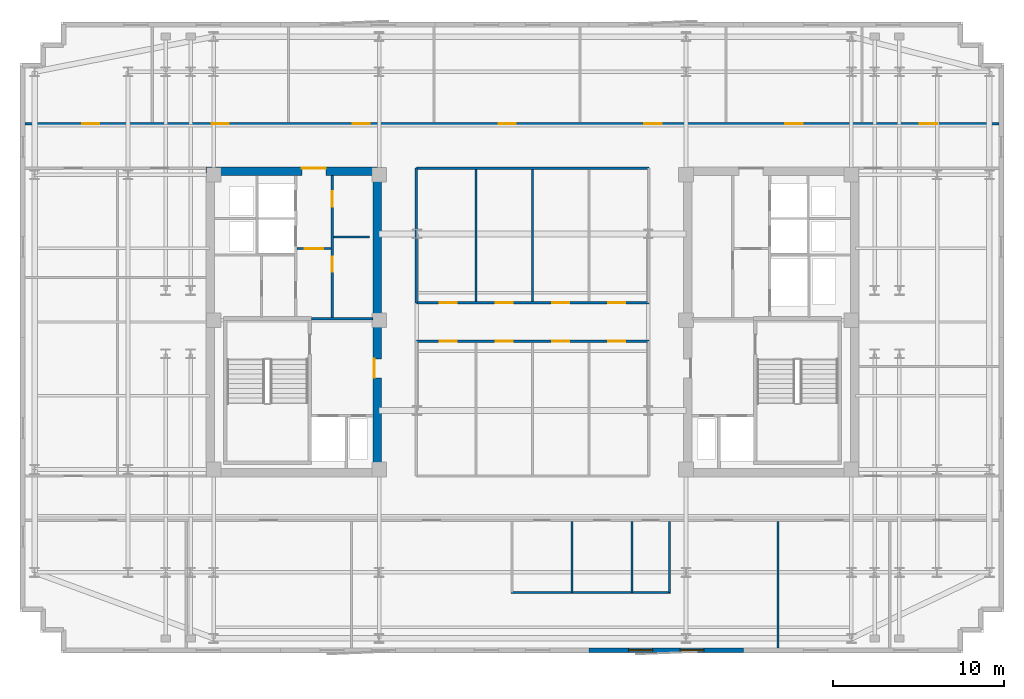
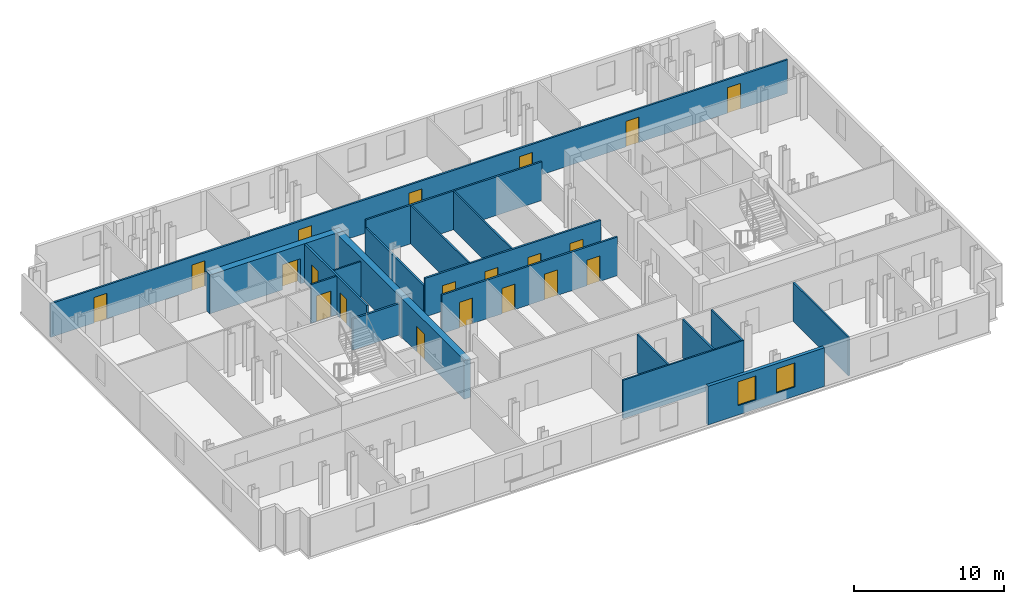
# One storey, part 5 of 10: 20 doors, 19 walls, 2 windows, 22 openings.
"""IFC4 building model written with IfcOpenShell, lengths in metres."""

from ifc_helpers import new_model, si_unit, direction, frame, frame_2d, origin, place, context, subcontext, project, spatial, rectangle, extrude, material, layer, layer_set, type_object, element, fill, save


model = new_model("IFC4")

# Units and contexts
model_context = context("Model", 3, precision=1e-05, world=origin(), true_north=direction((0.0, 1.0)))
body_context = subcontext(model_context, "Body", "Model", "MODEL_VIEW")
ifc_project = project(units=[si_unit("LENGTHUNIT", "METRE"), si_unit("AREAUNIT", "SQUARE_METRE"), si_unit("VOLUMEUNIT", "CUBIC_METRE"), si_unit("PLANEANGLEUNIT", "RADIAN"), si_unit("MASSUNIT", "GRAM", prefix="KILO")], contexts=[model_context])

# Site, building, storey
site_placement = place(None, origin())
site = spatial("IfcSite", under=ifc_project, at=site_placement, CompositionType="ELEMENT")
building_placement = place(site_placement, origin())
building = spatial("IfcBuilding", under=site, at=building_placement, Name="Velakula Bourse", CompositionType="ELEMENT")
storey_placement = place(building_placement, frame((0.0, 0.0, 239.550048828125)))
storey = spatial("IfcBuildingStorey", under=building, at=storey_placement, Name="L65", CompositionType="ELEMENT", Elevation=239.550048828125)

# Wall, opening, door
ifc_material_1 = material(Name="Concrete M50 (fck 50 MPa)", Category="concrete")
ifc_layer_1 = layer(ifc_material_1, 0.5, Name="Concrete M50 (fck 50 MPa)", Category="concrete")
ifc_layer_set_1 = layer_set([ifc_layer_1], Name="Concrete M50 (fck 50 MPa)")
wall_type_1 = type_object("IfcWallType", Name="WL-CORE-500", PredefinedType="SHEAR", material=ifc_layer_set_1)
wall_1_placement = place(storey_placement, frame((-19.050048828125, 8.800048828125, 0.0), z_axis=(0.0, 0.0, 1.0), x_axis=(1.0, 0.0, 0.0)))
wall_1 = element("IfcWall", 1, at=wall_1_placement, inside=storey, type_object=wall_type_1, Name="L65 Core W Shear Wall N", PredefinedType="SHEAR", context=body_context, shape_type="SweptSolid", body=[
    extrude(rectangle(XDim=10.25, YDim=0.5, at=frame_2d((5.125, 0.0))), origin(), (0.0, 0.0, 1.0), 3.169921875),
])
opening_1_placement = place(wall_1_placement, frame((5.60009765625, 0.0, 0.0)))
opening_1 = element("IfcOpeningElement", 2, at=opening_1_placement, cuts=wall_1, Name="Opening D-LLW", PredefinedType="OPENING", context=body_context, shape_type="SweptSolid", body=[
    extrude(rectangle(XDim=1.39990234375, YDim=2.050048828125, at=frame_2d((0.699951171875, 1.02490234375))), frame((0.0, 0.260009765625, 0.0), z_axis=(0.0, -1.0, 0.0), x_axis=(1.0, 0.0, 0.0)), (0.0, 0.0, 1.0), 0.52001953125),
])
ifc_material_2 = material(Name="Fire-rated hardwood flush architectural door", Category="wood")
door_type_1 = type_object("IfcDoorType", Name="DR-DBL-FD60-1400", OperationType="DOUBLE_DOOR_SINGLE_SWING", PredefinedType="DOOR", material=ifc_material_2)
door_1_placement = place(opening_1_placement, origin())
door_1 = element("IfcDoor", 3, at=door_1_placement, inside=storey, type_object=door_type_1, Name="L65 Core W Lift Lobby Corridor Double Door", OperationType="DOUBLE_DOOR_SINGLE_SWING", OverallHeight=2.050048828125, OverallWidth=1.39990234375, PredefinedType="DOOR", context=body_context, shape_type="SweptSolid", body=[
    extrude(rectangle(XDim=1.39990234375, YDim=2.050048828125, at=frame_2d((0.699951171875, 1.02490234375))), frame((0.0, 0.19482421875, 0.0), z_axis=(0.0, -1.0, 0.0), x_axis=(1.0, 0.0, 0.0)), (0.0, 0.0, 1.0), 0.050048828125),
])
fill(opening_1, door_1)

wall_2_placement = place(storey_placement, frame((-9.050048828125, -8.550048828125, 0.0), z_axis=(0.0, 0.0, 1.0), x_axis=(0.0, 1.0, 0.0)))
wall_2 = element("IfcWall", 4, at=wall_2_placement, inside=storey, type_object=wall_type_1, Name="L65 Core W Shear Wall E", PredefinedType="SHEAR", context=body_context, shape_type="SweptSolid", body=[
    extrude(rectangle(XDim=17.10009765625, YDim=0.5, at=frame_2d((8.550048828125, 0.0))), origin(), (0.0, 0.0, 1.0), 3.169921875),
])
opening_2_placement = place(wall_2_placement, frame((5.300048828125, 0.0, 0.0)))
opening_2 = element("IfcOpeningElement", 5, at=opening_2_placement, cuts=wall_2, Name="Opening D-FLW", PredefinedType="OPENING", context=body_context, shape_type="SweptSolid", body=[
    extrude(rectangle(XDim=1.10009765625, YDim=2.080078125, at=frame_2d((0.550048828125, 1.0400390625))), frame((0.0, 0.260009765625, 0.0), z_axis=(0.0, -1.0, 0.0), x_axis=(1.0, 0.0, 0.0)), (0.0, 0.0, 1.0), 0.52001953125),
])
ifc_material_3 = material(Name="Galvanised painted hollow steel fire door", Category="steel")
door_type_2 = type_object("IfcDoorType", Name="DR-FD120-1100", OperationType="NOTDEFINED", PredefinedType="DOOR", material=ifc_material_3)
door_2_placement = place(opening_2_placement, origin())
door_2 = element("IfcDoor", 6, at=door_2_placement, inside=storey, type_object=door_type_2, Name="L65 Firefighting Lobby W Corridor Fire Door", OperationType="SINGLE_SWING_LEFT", OverallHeight=2.080078125, OverallWidth=1.10009765625, PredefinedType="DOOR", context=body_context, shape_type="SweptSolid", body=[
    extrude(rectangle(XDim=1.10009765625, YDim=2.080078125, at=frame_2d((0.550048828125, 1.0400390625))), frame((0.0, 0.205078125, 0.0), z_axis=(0.0, -1.0, 0.0), x_axis=(1.0, 0.0, 0.0)), (0.0, 0.0, 1.0), 0.050048828125),
])
fill(opening_2, door_2)

# Wall, openings, windows
ifc_material_4 = material(Name="Buff kilned clay facing brick masonry", Category="masonry")
ifc_layer_2 = layer(ifc_material_4, 0.260009765625, Name="Buff kilned clay facing brick masonry", Category="masonry")
ifc_layer_set_2 = layer_set([ifc_layer_2], Name="Buff kilned clay facing brick masonry")
wall_type_2 = type_object("IfcWallType", Name="WL-EXT-BRK-260", PredefinedType="STANDARD", material=ifc_layer_set_2)
wall_3_placement = place(storey_placement, frame((12.300048828125, -19.14990234375, 0.0), z_axis=(0.0, 0.0, 1.0), x_axis=(-1.0, 0.0, 0.0)))
wall_3 = element("IfcWall", 7, at=wall_3_placement, inside=storey, type_object=wall_type_2, Name="L65 S Brick Spandrel Wall B4", PredefinedType="STANDARD", context=body_context, shape_type="SweptSolid", body=[
    extrude(rectangle(XDim=9.0, YDim=0.260009765625, at=frame_2d((4.5, 0.0))), origin(), (0.0, 0.0, 1.0), 3.14990234375),
])
opening_3_placement = place(wall_3_placement, frame((2.300048828125, 0.0, 0.760009765625)))
opening_3 = element("IfcOpeningElement", 8, at=opening_3_placement, cuts=wall_3, Name="Opening W-03", PredefinedType="OPENING", context=body_context, shape_type="SweptSolid", body=[
    extrude(rectangle(XDim=1.39990234375, YDim=1.949951171875, at=frame_2d((0.699951171875, 0.97509765625))), frame((0.0, 0.139892578125, 0.0), z_axis=(0.0, -1.0, 0.0), x_axis=(1.0, 0.0, 0.0)), (0.0, 0.0, 1.0), 0.280029296875),
])
opening_4_placement = place(wall_3_placement, frame((5.300048828125, 0.0, 0.760009765625)))
opening_4 = element("IfcOpeningElement", 9, at=opening_4_placement, cuts=wall_3, Name="Opening W-03", PredefinedType="OPENING", context=body_context, shape_type="SweptSolid", body=[
    extrude(rectangle(XDim=1.39990234375, YDim=1.949951171875, at=frame_2d((0.699951171875, 0.97509765625))), frame((0.0, 0.139892578125, 0.0), z_axis=(0.0, -1.0, 0.0), x_axis=(1.0, 0.0, 0.0)), (0.0, 0.0, 1.0), 0.280029296875),
])
ifc_material_5 = material(Name="Double-glazed solar-control Low-E glass", Category="glass")
window_type = type_object("IfcWindowType", Name="WIN-TWR-1400x2100", PartitioningType="SINGLE_PANEL", PredefinedType="WINDOW", material=ifc_material_5)
window_1_placement = place(opening_3_placement, origin())
window_1 = element("IfcWindow", 10, at=window_1_placement, inside=storey, type_object=window_type, Name="L65 Deep-Set Recessed Window 1", OverallHeight=1.949951171875, OverallWidth=1.39990234375, PartitioningType="SINGLE_PANEL", PredefinedType="WINDOW", context=body_context, shape_type="SweptSolid", body=[
    extrude(rectangle(XDim=1.39990234375, YDim=1.949951171875, at=frame_2d((0.699951171875, 0.97509765625))), frame((0.0, 0.030029296875, 0.0), z_axis=(0.0, -1.0, 0.0), x_axis=(1.0, 0.0, 0.0)), (0.0, 0.0, 1.0), 0.06005859375),
])
fill(opening_3, window_1)
window_2_placement = place(opening_4_placement, origin())
window_2 = element("IfcWindow", 11, at=window_2_placement, inside=storey, type_object=window_type, Name="L65 Deep-Set Recessed Window 2", OverallHeight=1.949951171875, OverallWidth=1.39990234375, PartitioningType="SINGLE_PANEL", PredefinedType="WINDOW", context=body_context, shape_type="SweptSolid", body=[
    extrude(rectangle(XDim=1.39990234375, YDim=1.949951171875, at=frame_2d((0.699951171875, 0.97509765625))), frame((0.0, 0.030029296875, 0.0), z_axis=(0.0, -1.0, 0.0), x_axis=(1.0, 0.0, 0.0)), (0.0, 0.0, 1.0), 0.06005859375),
])
fill(opening_4, window_2)

# Wall, opening, door
ifc_material_6 = material(Name="Fire-rated double-layer gypsum drywall partition", Category="gypsum")
ifc_layer_3 = layer(ifc_material_6, 0.1201171875, Name="Fire-rated double-layer gypsum drywall partition", Category="gypsum")
ifc_layer_set_3 = layer_set([ifc_layer_3], Name="Fire-rated double-layer gypsum drywall partition")
wall_type_3 = type_object("IfcWallType", Name="WL-PART-120", PredefinedType="STANDARD", material=ifc_layer_set_3)
wall_4_placement = place(storey_placement, frame((-13.75, 4.280029296875, 0.0), z_axis=(0.0, 0.0, 1.0), x_axis=(1.0, 0.0, 0.0)))
wall_4 = element("IfcWall", 12, at=wall_4_placement, inside=storey, type_object=wall_type_3, Name="L65 Interior Partition WL-CRW-L65-LL-K2", PredefinedType="STANDARD", context=body_context, shape_type="SweptSolid", body=[
    extrude(rectangle(XDim=2.0, YDim=0.1201171875, at=frame_2d((1.0, 0.0))), origin(), (0.0, 0.0, 1.0), 3.14990234375),
])
opening_5_placement = place(wall_4_placement, frame((0.449951171875, 0.0, 0.0)))
opening_5 = element("IfcOpeningElement", 13, at=opening_5_placement, cuts=wall_4, Name="Opening D-LK2", PredefinedType="OPENING", context=body_context, shape_type="SweptSolid", body=[
    extrude(rectangle(XDim=1.10009765625, YDim=2.10009765625, at=frame_2d((0.550048828125, 1.050048828125))), frame((0.0, 0.070068359375, 0.0), z_axis=(0.0, -1.0, 0.0), x_axis=(1.0, 0.0, 0.0)), (0.0, 0.0, 1.0), 0.14013671875),
])
door_type_3 = type_object("IfcDoorType", Name="DR-FD60-1100x2100", OperationType="NOTDEFINED", PredefinedType="DOOR", material=ifc_material_2)
door_3_placement = place(opening_5_placement, origin())
door_3 = element("IfcDoor", 14, at=door_3_placement, inside=storey, type_object=door_type_3, Name="L65 Core W Lift Lobby Zone Door", OperationType="SINGLE_SWING_RIGHT", OverallHeight=2.10009765625, OverallWidth=1.10009765625, PredefinedType="DOOR", context=body_context, shape_type="SweptSolid", body=[
    extrude(rectangle(XDim=1.10009765625, YDim=2.10009765625, at=frame_2d((0.550048828125, 1.050048828125))), frame((0.0, 0.02490234375, 0.0), z_axis=(0.0, -1.0, 0.0), x_axis=(1.0, 0.0, 0.0)), (0.0, 0.0, 1.0), 0.050048828125),
])
fill(opening_5, door_3)

# Walls
wall_5_placement = place(storey_placement, frame((-11.60009765625, 4.949951171875, 0.0), z_axis=(0.0, 0.0, 1.0), x_axis=(1.0, 0.0, 0.0)))
element("IfcWall", 15, at=wall_5_placement, inside=storey, type_object=wall_type_3, Name="L65 Interior Partition WL-CRW-L65-RCDIV", PredefinedType="STANDARD", context=body_context, shape_type="SweptSolid", body=[
    extrude(rectangle(XDim=2.10009765625, YDim=0.1201171875, at=frame_2d((1.050048828125, 0.0))), origin(), (0.0, 0.0, 1.0), 3.14990234375),
])
wall_6_placement = place(storey_placement, frame((-1.260009765625, -15.77001953125, 0.0), z_axis=(0.0, 0.0, 1.0), x_axis=(1.0, 0.0, 0.0)))
element("IfcWall", 16, at=wall_6_placement, inside=storey, type_object=wall_type_3, Name="L65 Interior Partition WL-WC-L65-BACK", PredefinedType="STANDARD", context=body_context, shape_type="SweptSolid", body=[
    extrude(rectangle(XDim=9.320068359375, YDim=0.1201171875, at=frame_2d((4.66015625, 0.0))), origin(), (0.0, 0.0, 1.0), 3.14990234375),
])
for number, where, z_axis, x_axis, name in (
    (17, (2.300048828125, -15.77001953125, 0.0), (0.0, 0.0, 1.0), (0.0, 1.0, 0.0), "L65 Interior Partition WL-WC-L65-V2"),
    (18, (5.800048828125, -15.77001953125, 0.0), (0.0, 0.0, 1.0), (0.0, 1.0, 0.0), "L65 Interior Partition WL-WC-L65-V3"),
    (19, (8.0, -15.77001953125, 0.0), (0.0, 0.0, 1.0), (0.0, 1.0, 0.0), "L65 Interior Partition WL-WC-L65-V4"),
):
    element("IfcWall", number, at=place(storey_placement, frame(where, z_axis=z_axis, x_axis=x_axis)), inside=storey, type_object=wall_type_3, Name=name, PredefinedType="STANDARD", context=body_context, shape_type="SweptSolid", body=[
        extrude(rectangle(XDim=4.130126953125, YDim=0.1201171875, at=frame_2d((2.06494140625, 0.0))), origin(), (0.0, 0.0, 1.0), 3.14990234375),
    ])
wall_7_placement = place(storey_placement, frame((14.322998046875, -19.02001953125, 0.0), z_axis=(0.0, 0.0, 1.0), x_axis=(0.0, 1.0, 0.0)))
element("IfcWall", 20, at=wall_7_placement, inside=storey, type_object=wall_type_3, Name="L65 Interior Partition WL-INT-L65-SR-D7", PredefinedType="STANDARD", context=body_context, shape_type="SweptSolid", body=[
    extrude(rectangle(XDim=7.380126953125, YDim=0.1201171875, at=frame_2d((3.68994140625, 0.0))), origin(), (0.0, 0.0, 1.0), 3.14990234375),
])

# Wall, openings, doors
ifc_layer_4 = layer(ifc_material_6, 0.139892578125, Name="Fire-rated double-layer gypsum drywall partition", Category="gypsum")
ifc_layer_set_4 = layer_set([ifc_layer_4], Name="Fire-rated double-layer gypsum drywall partition")
wall_type_4 = type_object("IfcWallType", Name="WL-PART-140", PredefinedType="STANDARD", material=ifc_layer_set_4)
wall_8_placement = place(storey_placement, frame((-29.6201171875, 11.570068359375, 0.0), z_axis=(0.0, 0.0, 1.0), x_axis=(1.0, 0.0, 0.0)))
wall_8 = element("IfcWall", 21, at=wall_8_placement, inside=storey, type_object=wall_type_4, Name="L65 Interior Partition WL-INT-L65-N-CORR", PredefinedType="STANDARD", context=body_context, shape_type="SweptSolid", body=[
    extrude(rectangle(XDim=56.840087890625, YDim=0.139892578125, at=frame_2d((28.419921875, 0.0))), origin(), (0.0, 0.0, 1.0), 2.744873046875),
])
opening_6_placement = place(wall_8_placement, frame((3.343017578125, 0.0, 0.0)))
opening_6 = element("IfcOpeningElement", 22, at=opening_6_placement, cuts=wall_8, Name="Opening D-OF1", PredefinedType="OPENING", context=body_context, shape_type="SweptSolid", body=[
    extrude(rectangle(XDim=1.0, YDim=2.080078125, at=frame_2d((0.5, 1.0400390625))), frame((0.0, 0.079833984375, 0.0), z_axis=(0.0, -1.0, 0.0), x_axis=(1.0, 0.0, 0.0)), (0.0, 0.0, 1.0), 0.159912109375),
])
opening_7_placement = place(wall_8_placement, frame((10.904052734375, 0.0, 0.0)))
opening_7 = element("IfcOpeningElement", 23, at=opening_7_placement, cuts=wall_8, Name="Opening D-OF1", PredefinedType="OPENING", context=body_context, shape_type="SweptSolid", body=[
    extrude(rectangle(XDim=1.0, YDim=2.080078125, at=frame_2d((0.5, 1.0400390625))), frame((0.0, 0.079833984375, 0.0), z_axis=(0.0, -1.0, 0.0), x_axis=(1.0, 0.0, 0.0)), (0.0, 0.0, 1.0), 0.159912109375),
])
opening_8_placement = place(wall_8_placement, frame((19.1279296875, 0.0, 0.0)))
opening_8 = element("IfcOpeningElement", 24, at=opening_8_placement, cuts=wall_8, Name="Opening D-OF1", PredefinedType="OPENING", context=body_context, shape_type="SweptSolid", body=[
    extrude(rectangle(XDim=1.0, YDim=2.080078125, at=frame_2d((0.5, 1.0400390625))), frame((0.0, 0.079833984375, 0.0), z_axis=(0.0, -1.0, 0.0), x_axis=(1.0, 0.0, 0.0)), (0.0, 0.0, 1.0), 0.159912109375),
])
opening_9_placement = place(wall_8_placement, frame((27.635986328125, 0.0, 0.0)))
opening_9 = element("IfcOpeningElement", 25, at=opening_9_placement, cuts=wall_8, Name="Opening D-OF1", PredefinedType="OPENING", context=body_context, shape_type="SweptSolid", body=[
    extrude(rectangle(XDim=1.0, YDim=2.080078125, at=frame_2d((0.5, 1.0400390625))), frame((0.0, 0.079833984375, 0.0), z_axis=(0.0, -1.0, 0.0), x_axis=(1.0, 0.0, 0.0)), (0.0, 0.0, 1.0), 0.159912109375),
])
opening_10_placement = place(wall_8_placement, frame((36.14404296875, 0.0, 0.0)))
opening_10 = element("IfcOpeningElement", 26, at=opening_10_placement, cuts=wall_8, Name="Opening D-OF1", PredefinedType="OPENING", context=body_context, shape_type="SweptSolid", body=[
    extrude(rectangle(XDim=1.0, YDim=2.080078125, at=frame_2d((0.5, 1.0400390625))), frame((0.0, 0.079833984375, 0.0), z_axis=(0.0, -1.0, 0.0), x_axis=(1.0, 0.0, 0.0)), (0.0, 0.0, 1.0), 0.159912109375),
])
opening_11_placement = place(wall_8_placement, frame((44.368408203125, 0.0, 0.0)))
opening_11 = element("IfcOpeningElement", 27, at=opening_11_placement, cuts=wall_8, Name="Opening D-OF1", PredefinedType="OPENING", context=body_context, shape_type="SweptSolid", body=[
    extrude(rectangle(XDim=1.0, YDim=2.080078125, at=frame_2d((0.5, 1.0400390625))), frame((0.0, 0.079833984375, 0.0), z_axis=(0.0, -1.0, 0.0), x_axis=(1.0, 0.0, 0.0)), (0.0, 0.0, 1.0), 0.159912109375),
])
opening_12_placement = place(wall_8_placement, frame((52.21337890625, 0.0, 0.0)))
opening_12 = element("IfcOpeningElement", 28, at=opening_12_placement, cuts=wall_8, Name="Opening D-OF1", PredefinedType="OPENING", context=body_context, shape_type="SweptSolid", body=[
    extrude(rectangle(XDim=1.0, YDim=2.080078125, at=frame_2d((0.5, 1.0400390625))), frame((0.0, 0.079833984375, 0.0), z_axis=(0.0, -1.0, 0.0), x_axis=(1.0, 0.0, 0.0)), (0.0, 0.0, 1.0), 0.159912109375),
])
door_type_4 = type_object("IfcDoorType", Name="DR-OFF-1000", OperationType="NOTDEFINED", PredefinedType="DOOR", material=ifc_material_2)
door_4_placement = place(opening_6_placement, origin())
door_4 = element("IfcDoor", 29, at=door_4_placement, inside=storey, type_object=door_type_4, Name="L65 Market Data Feed Workspace Door", OperationType="SINGLE_SWING_RIGHT", OverallHeight=2.080078125, OverallWidth=1.0, PredefinedType="DOOR", context=body_context, shape_type="SweptSolid", body=[
    extrude(rectangle(XDim=1.0, YDim=2.080078125, at=frame_2d((0.5, 1.0400390625))), frame((0.0, 0.02490234375, 0.0), z_axis=(0.0, -1.0, 0.0), x_axis=(1.0, 0.0, 0.0)), (0.0, 0.0, 1.0), 0.050048828125),
])
fill(opening_6, door_4)
door_5_placement = place(opening_7_placement, origin())
door_5 = element("IfcDoor", 30, at=door_5_placement, inside=storey, type_object=door_type_4, Name="L65 Executive Boardroom Door", OperationType="SINGLE_SWING_RIGHT", OverallHeight=2.080078125, OverallWidth=1.0, PredefinedType="DOOR", context=body_context, shape_type="SweptSolid", body=[
    extrude(rectangle(XDim=1.0, YDim=2.080078125, at=frame_2d((0.5, 1.0400390625))), frame((0.0, 0.02490234375, 0.0), z_axis=(0.0, -1.0, 0.0), x_axis=(1.0, 0.0, 0.0)), (0.0, 0.0, 1.0), 0.050048828125),
])
fill(opening_7, door_5)
door_6_placement = place(opening_8_placement, origin())
door_6 = element("IfcDoor", 31, at=door_6_placement, inside=storey, type_object=door_type_4, Name="L65 Catering Servery Pantry Door", OperationType="SINGLE_SWING_LEFT", OverallHeight=2.080078125, OverallWidth=1.0, PredefinedType="DOOR", context=body_context, shape_type="SweptSolid", body=[
    extrude(rectangle(XDim=1.0, YDim=2.080078125, at=frame_2d((0.5, 1.0400390625))), frame((0.0, 0.02490234375, 0.0), z_axis=(0.0, -1.0, 0.0), x_axis=(1.0, 0.0, 0.0)), (0.0, 0.0, 1.0), 0.050048828125),
])
fill(opening_8, door_6)
door_7_placement = place(opening_9_placement, origin())
door_7 = element("IfcDoor", 32, at=door_7_placement, inside=storey, type_object=door_type_4, Name="L65 Members Dining Lounge Door", OperationType="SINGLE_SWING_RIGHT", OverallHeight=2.080078125, OverallWidth=1.0, PredefinedType="DOOR", context=body_context, shape_type="SweptSolid", body=[
    extrude(rectangle(XDim=1.0, YDim=2.080078125, at=frame_2d((0.5, 1.0400390625))), frame((0.0, 0.02490234375, 0.0), z_axis=(0.0, -1.0, 0.0), x_axis=(1.0, 0.0, 0.0)), (0.0, 0.0, 1.0), 0.050048828125),
])
fill(opening_9, door_7)
door_8_placement = place(opening_10_placement, origin())
door_8 = element("IfcDoor", 33, at=door_8_placement, inside=storey, type_object=door_type_4, Name="L65 Bullion Assay Office Door", OperationType="SINGLE_SWING_LEFT", OverallHeight=2.080078125, OverallWidth=1.0, PredefinedType="DOOR", context=body_context, shape_type="SweptSolid", body=[
    extrude(rectangle(XDim=1.0, YDim=2.080078125, at=frame_2d((0.5, 1.0400390625))), frame((0.0, 0.02490234375, 0.0), z_axis=(0.0, -1.0, 0.0), x_axis=(1.0, 0.0, 0.0)), (0.0, 0.0, 1.0), 0.050048828125),
])
fill(opening_10, door_8)
door_9_placement = place(opening_11_placement, origin())
door_9 = element("IfcDoor", 34, at=door_9_placement, inside=storey, type_object=door_type_4, Name="L65 Market Data Feed Workspace Door", OperationType="SINGLE_SWING_RIGHT", OverallHeight=2.080078125, OverallWidth=1.0, PredefinedType="DOOR", context=body_context, shape_type="SweptSolid", body=[
    extrude(rectangle(XDim=1.0, YDim=2.080078125, at=frame_2d((0.5, 1.0400390625))), frame((0.0, 0.02490234375, 0.0), z_axis=(0.0, -1.0, 0.0), x_axis=(1.0, 0.0, 0.0)), (0.0, 0.0, 1.0), 0.050048828125),
])
fill(opening_11, door_9)
door_10_placement = place(opening_12_placement, origin())
door_10 = element("IfcDoor", 35, at=door_10_placement, inside=storey, type_object=door_type_4, Name="L65 Asset Allocation Office Door", OperationType="SINGLE_SWING_LEFT", OverallHeight=2.080078125, OverallWidth=1.0, PredefinedType="DOOR", context=body_context, shape_type="SweptSolid", body=[
    extrude(rectangle(XDim=1.0, YDim=2.080078125, at=frame_2d((0.5, 1.0400390625))), frame((0.0, 0.02490234375, 0.0), z_axis=(0.0, -1.0, 0.0), x_axis=(1.0, 0.0, 0.0)), (0.0, 0.0, 1.0), 0.050048828125),
])
fill(opening_12, door_10)

wall_9_placement = place(storey_placement, frame((-6.780029296875, 1.1201171875, 0.0), z_axis=(0.0, 0.0, 1.0), x_axis=(1.0, 0.0, 0.0)))
wall_9 = element("IfcWall", 36, at=wall_9_placement, inside=storey, type_object=wall_type_4, Name="L65 Interior Partition WL-INT-L65-MN-IN", PredefinedType="STANDARD", context=body_context, shape_type="SweptSolid", body=[
    extrude(rectangle(XDim=13.56005859375, YDim=0.139892578125, at=frame_2d((6.780029296875, 0.0))), origin(), (0.0, 0.0, 1.0), 3.14990234375),
])
opening_13_placement = place(wall_9_placement, frame((1.365966796875, 0.0, 0.0)))
opening_13 = element("IfcOpeningElement", 37, at=opening_13_placement, cuts=wall_9, Name="Opening D-OF1", PredefinedType="OPENING", context=body_context, shape_type="SweptSolid", body=[
    extrude(rectangle(XDim=1.0, YDim=2.080078125, at=frame_2d((0.5, 1.0400390625))), frame((0.0, 0.079833984375, 0.0), z_axis=(0.0, -1.0, 0.0), x_axis=(1.0, 0.0, 0.0)), (0.0, 0.0, 1.0), 0.159912109375),
])
opening_14_placement = place(wall_9_placement, frame((4.6298828125, 0.0, 0.0)))
opening_14 = element("IfcOpeningElement", 38, at=opening_14_placement, cuts=wall_9, Name="Opening D-OF1", PredefinedType="OPENING", context=body_context, shape_type="SweptSolid", body=[
    extrude(rectangle(XDim=1.0, YDim=2.080078125, at=frame_2d((0.5, 1.0400390625))), frame((0.0, 0.079833984375, 0.0), z_axis=(0.0, -1.0, 0.0), x_axis=(1.0, 0.0, 0.0)), (0.0, 0.0, 1.0), 0.159912109375),
])
opening_15_placement = place(wall_9_placement, frame((7.929931640625, 0.0, 0.0)))
opening_15 = element("IfcOpeningElement", 39, at=opening_15_placement, cuts=wall_9, Name="Opening D-OF1", PredefinedType="OPENING", context=body_context, shape_type="SweptSolid", body=[
    extrude(rectangle(XDim=1.0, YDim=2.080078125, at=frame_2d((0.5, 1.0400390625))), frame((0.0, 0.079833984375, 0.0), z_axis=(0.0, -1.0, 0.0), x_axis=(1.0, 0.0, 0.0)), (0.0, 0.0, 1.0), 0.159912109375),
])
opening_16_placement = place(wall_9_placement, frame((11.194091796875, 0.0, 0.0)))
opening_16 = element("IfcOpeningElement", 40, at=opening_16_placement, cuts=wall_9, Name="Opening D-OF1", PredefinedType="OPENING", context=body_context, shape_type="SweptSolid", body=[
    extrude(rectangle(XDim=1.0, YDim=2.080078125, at=frame_2d((0.5, 1.0400390625))), frame((0.0, 0.079833984375, 0.0), z_axis=(0.0, -1.0, 0.0), x_axis=(1.0, 0.0, 0.0)), (0.0, 0.0, 1.0), 0.159912109375),
])
door_11_placement = place(opening_13_placement, origin())
door_11 = element("IfcDoor", 41, at=door_11_placement, inside=storey, type_object=door_type_4, Name="L65 Treasury Operations Office Door", OperationType="SINGLE_SWING_LEFT", OverallHeight=2.080078125, OverallWidth=1.0, PredefinedType="DOOR", context=body_context, shape_type="SweptSolid", body=[
    extrude(rectangle(XDim=1.0, YDim=2.080078125, at=frame_2d((0.5, 1.0400390625))), frame((0.0, 0.02490234375, 0.0), z_axis=(0.0, -1.0, 0.0), x_axis=(1.0, 0.0, 0.0)), (0.0, 0.0, 1.0), 0.050048828125),
])
fill(opening_13, door_11)
door_12_placement = place(opening_14_placement, origin())
door_12 = element("IfcDoor", 42, at=door_12_placement, inside=storey, type_object=door_type_4, Name="L65 Bullion Assay Office Door", OperationType="SINGLE_SWING_RIGHT", OverallHeight=2.080078125, OverallWidth=1.0, PredefinedType="DOOR", context=body_context, shape_type="SweptSolid", body=[
    extrude(rectangle(XDim=1.0, YDim=2.080078125, at=frame_2d((0.5, 1.0400390625))), frame((0.0, 0.02490234375, 0.0), z_axis=(0.0, -1.0, 0.0), x_axis=(1.0, 0.0, 0.0)), (0.0, 0.0, 1.0), 0.050048828125),
])
fill(opening_14, door_12)
door_13_placement = place(opening_15_placement, origin())
door_13 = element("IfcDoor", 43, at=door_13_placement, inside=storey, type_object=door_type_4, Name="L65 Legal Counsel Office Door", OperationType="SINGLE_SWING_LEFT", OverallHeight=2.080078125, OverallWidth=1.0, PredefinedType="DOOR", context=body_context, shape_type="SweptSolid", body=[
    extrude(rectangle(XDim=1.0, YDim=2.080078125, at=frame_2d((0.5, 1.0400390625))), frame((0.0, 0.02490234375, 0.0), z_axis=(0.0, -1.0, 0.0), x_axis=(1.0, 0.0, 0.0)), (0.0, 0.0, 1.0), 0.050048828125),
])
fill(opening_15, door_13)
door_14_placement = place(opening_16_placement, origin())
door_14 = element("IfcDoor", 44, at=door_14_placement, inside=storey, type_object=door_type_4, Name="L65 Issuer Relations Office Door", OperationType="SINGLE_SWING_RIGHT", OverallHeight=2.080078125, OverallWidth=1.0, PredefinedType="DOOR", context=body_context, shape_type="SweptSolid", body=[
    extrude(rectangle(XDim=1.0, YDim=2.080078125, at=frame_2d((0.5, 1.0400390625))), frame((0.0, 0.02490234375, 0.0), z_axis=(0.0, -1.0, 0.0), x_axis=(1.0, 0.0, 0.0)), (0.0, 0.0, 1.0), 0.050048828125),
])
fill(opening_16, door_14)

# Walls
wall_10_placement = place(storey_placement, frame((-6.780029296875, 8.97998046875, 0.0), z_axis=(0.0, 0.0, 1.0), x_axis=(1.0, 0.0, 0.0)))
element("IfcWall", 45, at=wall_10_placement, inside=storey, type_object=wall_type_4, Name="L65 Interior Partition WL-INT-L65-MN-OUT", PredefinedType="STANDARD", context=body_context, shape_type="SweptSolid", body=[
    extrude(rectangle(XDim=13.56005859375, YDim=0.139892578125, at=frame_2d((6.780029296875, 0.0))), origin(), (0.0, 0.0, 1.0), 3.14990234375),
])
wall_11_placement = place(storey_placement, frame((-6.780029296875, 1.1201171875, 0.0), z_axis=(0.0, 0.0, 1.0), x_axis=(0.0, 1.0, 0.0)))
element("IfcWall", 46, at=wall_11_placement, inside=storey, type_object=wall_type_4, Name="L65 Interior Partition WL-INT-L65-MN-W", PredefinedType="STANDARD", context=body_context, shape_type="SweptSolid", body=[
    extrude(rectangle(XDim=7.85986328125, YDim=0.139892578125, at=frame_2d((3.929931640625, 0.0))), origin(), (0.0, 0.0, 1.0), 2.544921875),
])
for number, where, z_axis, x_axis, name in (
    (47, (-3.300048828125, 1.18994140625, 0.0), (0.0, 0.0, 1.0), (0.0, 1.0, 0.0), "L65 Interior Partition WL-INT-L65-MN-V1"),
    (48, (0.0, 1.18994140625, 0.0), (0.0, 0.0, 1.0), (0.0, 1.0, 0.0), "L65 Interior Partition WL-INT-L65-MN-V2"),
):
    element("IfcWall", number, at=place(storey_placement, frame(where, z_axis=z_axis, x_axis=x_axis)), inside=storey, type_object=wall_type_4, Name=name, PredefinedType="STANDARD", context=body_context, shape_type="SweptSolid", body=[
        extrude(rectangle(XDim=7.719970703125, YDim=0.1201171875, at=frame_2d((3.85986328125, 0.0))), origin(), (0.0, 0.0, 1.0), 3.14990234375),
    ])

# Wall, openings, doors
wall_12_placement = place(storey_placement, frame((-6.780029296875, -1.1201171875, 0.0), z_axis=(0.0, 0.0, 1.0), x_axis=(1.0, 0.0, 0.0)))
wall_12 = element("IfcWall", 49, at=wall_12_placement, inside=storey, type_object=wall_type_4, Name="L65 Interior Partition WL-INT-L65-MS-IN", PredefinedType="STANDARD", context=body_context, shape_type="SweptSolid", body=[
    extrude(rectangle(XDim=13.56005859375, YDim=0.139892578125, at=frame_2d((6.780029296875, 0.0))), origin(), (0.0, 0.0, 1.0), 3.14990234375),
])
opening_17_placement = place(wall_12_placement, frame((1.365966796875, 0.0, 0.0)))
opening_17 = element("IfcOpeningElement", 50, at=opening_17_placement, cuts=wall_12, Name="Opening D-OF1", PredefinedType="OPENING", context=body_context, shape_type="SweptSolid", body=[
    extrude(rectangle(XDim=1.0, YDim=2.080078125, at=frame_2d((0.5, 1.0400390625))), frame((0.0, 0.079833984375, 0.0), z_axis=(0.0, -1.0, 0.0), x_axis=(1.0, 0.0, 0.0)), (0.0, 0.0, 1.0), 0.159912109375),
])
opening_18_placement = place(wall_12_placement, frame((4.6298828125, 0.0, 0.0)))
opening_18 = element("IfcOpeningElement", 51, at=opening_18_placement, cuts=wall_12, Name="Opening D-OF1", PredefinedType="OPENING", context=body_context, shape_type="SweptSolid", body=[
    extrude(rectangle(XDim=1.0, YDim=2.080078125, at=frame_2d((0.5, 1.0400390625))), frame((0.0, 0.079833984375, 0.0), z_axis=(0.0, -1.0, 0.0), x_axis=(1.0, 0.0, 0.0)), (0.0, 0.0, 1.0), 0.159912109375),
])
opening_19_placement = place(wall_12_placement, frame((7.929931640625, 0.0, 0.0)))
opening_19 = element("IfcOpeningElement", 52, at=opening_19_placement, cuts=wall_12, Name="Opening D-OF1", PredefinedType="OPENING", context=body_context, shape_type="SweptSolid", body=[
    extrude(rectangle(XDim=1.0, YDim=2.080078125, at=frame_2d((0.5, 1.0400390625))), frame((0.0, 0.079833984375, 0.0), z_axis=(0.0, -1.0, 0.0), x_axis=(1.0, 0.0, 0.0)), (0.0, 0.0, 1.0), 0.159912109375),
])
opening_20_placement = place(wall_12_placement, frame((11.194091796875, 0.0, 0.0)))
opening_20 = element("IfcOpeningElement", 53, at=opening_20_placement, cuts=wall_12, Name="Opening D-OF1", PredefinedType="OPENING", context=body_context, shape_type="SweptSolid", body=[
    extrude(rectangle(XDim=1.0, YDim=2.080078125, at=frame_2d((0.5, 1.0400390625))), frame((0.0, 0.079833984375, 0.0), z_axis=(0.0, -1.0, 0.0), x_axis=(1.0, 0.0, 0.0)), (0.0, 0.0, 1.0), 0.159912109375),
])
door_15_placement = place(opening_17_placement, origin())
door_15 = element("IfcDoor", 54, at=door_15_placement, inside=storey, type_object=door_type_4, Name="L65 Issuer Relations Office Door", OperationType="SINGLE_SWING_LEFT", OverallHeight=2.080078125, OverallWidth=1.0, PredefinedType="DOOR", context=body_context, shape_type="SweptSolid", body=[
    extrude(rectangle(XDim=1.0, YDim=2.080078125, at=frame_2d((0.5, 1.0400390625))), frame((0.0, 0.02490234375, 0.0), z_axis=(0.0, -1.0, 0.0), x_axis=(1.0, 0.0, 0.0)), (0.0, 0.0, 1.0), 0.050048828125),
])
fill(opening_17, door_15)
door_16_placement = place(opening_18_placement, origin())
door_16 = element("IfcDoor", 55, at=door_16_placement, inside=storey, type_object=door_type_4, Name="L65 Asset Allocation Office Door", OperationType="SINGLE_SWING_RIGHT", OverallHeight=2.080078125, OverallWidth=1.0, PredefinedType="DOOR", context=body_context, shape_type="SweptSolid", body=[
    extrude(rectangle(XDim=1.0, YDim=2.080078125, at=frame_2d((0.5, 1.0400390625))), frame((0.0, 0.02490234375, 0.0), z_axis=(0.0, -1.0, 0.0), x_axis=(1.0, 0.0, 0.0)), (0.0, 0.0, 1.0), 0.050048828125),
])
fill(opening_18, door_16)
door_17_placement = place(opening_19_placement, origin())
door_17 = element("IfcDoor", 56, at=door_17_placement, inside=storey, type_object=door_type_4, Name="L65 Chief Risk Officer Chamber Door", OperationType="SINGLE_SWING_LEFT", OverallHeight=2.080078125, OverallWidth=1.0, PredefinedType="DOOR", context=body_context, shape_type="SweptSolid", body=[
    extrude(rectangle(XDim=1.0, YDim=2.080078125, at=frame_2d((0.5, 1.0400390625))), frame((0.0, 0.02490234375, 0.0), z_axis=(0.0, -1.0, 0.0), x_axis=(1.0, 0.0, 0.0)), (0.0, 0.0, 1.0), 0.050048828125),
])
fill(opening_19, door_17)
door_18_placement = place(opening_20_placement, origin())
door_18 = element("IfcDoor", 57, at=door_18_placement, inside=storey, type_object=door_type_4, Name="L65 Company Secretary Office Door", OperationType="SINGLE_SWING_RIGHT", OverallHeight=2.080078125, OverallWidth=1.0, PredefinedType="DOOR", context=body_context, shape_type="SweptSolid", body=[
    extrude(rectangle(XDim=1.0, YDim=2.080078125, at=frame_2d((0.5, 1.0400390625))), frame((0.0, 0.02490234375, 0.0), z_axis=(0.0, -1.0, 0.0), x_axis=(1.0, 0.0, 0.0)), (0.0, 0.0, 1.0), 0.050048828125),
])
fill(opening_20, door_18)

# Wall
ifc_material_7 = material(Name="Autoclaved aerated concrete blockwork masonry", Category="masonry")
ifc_layer_5 = layer(ifc_material_7, 0.14990234375, Name="Autoclaved aerated concrete blockwork masonry", Category="masonry")
ifc_layer_set_5 = layer_set([ifc_layer_5], Name="Autoclaved aerated concrete blockwork masonry")
wall_type_5 = type_object("IfcWallType", Name="WL-SHAFT-150", PredefinedType="STANDARD", material=ifc_layer_set_5)
wall_13_placement = place(storey_placement, frame((-12.889892578125, 0.18994140625, 0.0), z_axis=(0.0, 0.0, 1.0), x_axis=(1.0, 0.0, 0.0)))
element("IfcWall", 58, at=wall_13_placement, inside=storey, type_object=wall_type_5, Name="L65 Interior Partition WL-CRW-L65-FF-TOP", PredefinedType="STANDARD", context=body_context, shape_type="SweptSolid", body=[
    extrude(rectangle(XDim=3.58984375, YDim=0.14990234375, at=frame_2d((1.794921875, 0.0))), origin(), (0.0, 0.0, 1.0), 2.544921875),
])

# Wall, openings, doors
wall_14_placement = place(storey_placement, frame((-11.675048828125, 0.27001953125, 0.0), z_axis=(0.0, 0.0, 1.0), x_axis=(0.0, 1.0, 0.0)))
wall_14 = element("IfcWall", 59, at=wall_14_placement, inside=storey, type_object=wall_type_5, Name="L65 Interior Partition WL-CRW-L65-BANK-F", PredefinedType="STANDARD", context=body_context, shape_type="SweptSolid", body=[
    extrude(rectangle(XDim=8.280029296875, YDim=0.14990234375, at=frame_2d((4.14013671875, 0.0))), origin(), (0.0, 0.0, 1.0), 3.14990234375),
])
opening_21_placement = place(wall_14_placement, frame((2.64990234375, 0.0, 0.0)))
opening_21 = element("IfcOpeningElement", 60, at=opening_21_placement, cuts=wall_14, Name="Opening D-RC1", PredefinedType="OPENING", context=body_context, shape_type="SweptSolid", body=[
    extrude(rectangle(XDim=0.89990234375, YDim=2.050048828125, at=frame_2d((0.449951171875, 1.02490234375))), frame((0.0, 0.0849609375, 0.0), z_axis=(0.0, -1.0, 0.0), x_axis=(1.0, 0.0, 0.0)), (0.0, 0.0, 1.0), 0.169921875),
])
opening_22_placement = place(wall_14_placement, frame((6.449951171875, 0.0, 0.0)))
opening_22 = element("IfcOpeningElement", 61, at=opening_22_placement, cuts=wall_14, Name="Opening D-RC1", PredefinedType="OPENING", context=body_context, shape_type="SweptSolid", body=[
    extrude(rectangle(XDim=0.89990234375, YDim=2.050048828125, at=frame_2d((0.449951171875, 1.02490234375))), frame((0.0, 0.0849609375, 0.0), z_axis=(0.0, -1.0, 0.0), x_axis=(1.0, 0.0, 0.0)), (0.0, 0.0, 1.0), 0.169921875),
])
door_type_5 = type_object("IfcDoorType", Name="DR-FD60-900", OperationType="NOTDEFINED", PredefinedType="DOOR", material=ifc_material_2)
door_19_placement = place(opening_21_placement, origin())
door_19 = element("IfcDoor", 62, at=door_19_placement, inside=storey, type_object=door_type_5, Name="L65 Reclaimed Archive Room Door", OperationType="SINGLE_SWING_RIGHT", OverallHeight=2.050048828125, OverallWidth=0.89990234375, PredefinedType="DOOR", context=body_context, shape_type="SweptSolid", body=[
    extrude(rectangle(XDim=0.89990234375, YDim=2.050048828125, at=frame_2d((0.449951171875, 1.02490234375))), frame((0.0, 0.02490234375, 0.0), z_axis=(0.0, -1.0, 0.0), x_axis=(1.0, 0.0, 0.0)), (0.0, 0.0, 1.0), 0.050048828125),
])
fill(opening_21, door_19)
door_20_placement = place(opening_22_placement, origin())
door_20 = element("IfcDoor", 63, at=door_20_placement, inside=storey, type_object=door_type_5, Name="L65 Reclaimed Registry Store Door", OperationType="SINGLE_SWING_LEFT", OverallHeight=2.050048828125, OverallWidth=0.89990234375, PredefinedType="DOOR", context=body_context, shape_type="SweptSolid", body=[
    extrude(rectangle(XDim=0.89990234375, YDim=2.050048828125, at=frame_2d((0.449951171875, 1.02490234375))), frame((0.0, 0.02490234375, 0.0), z_axis=(0.0, -1.0, 0.0), x_axis=(1.0, 0.0, 0.0)), (0.0, 0.0, 1.0), 0.050048828125),
])
fill(opening_22, door_20)

save(model, "model.ifc")
